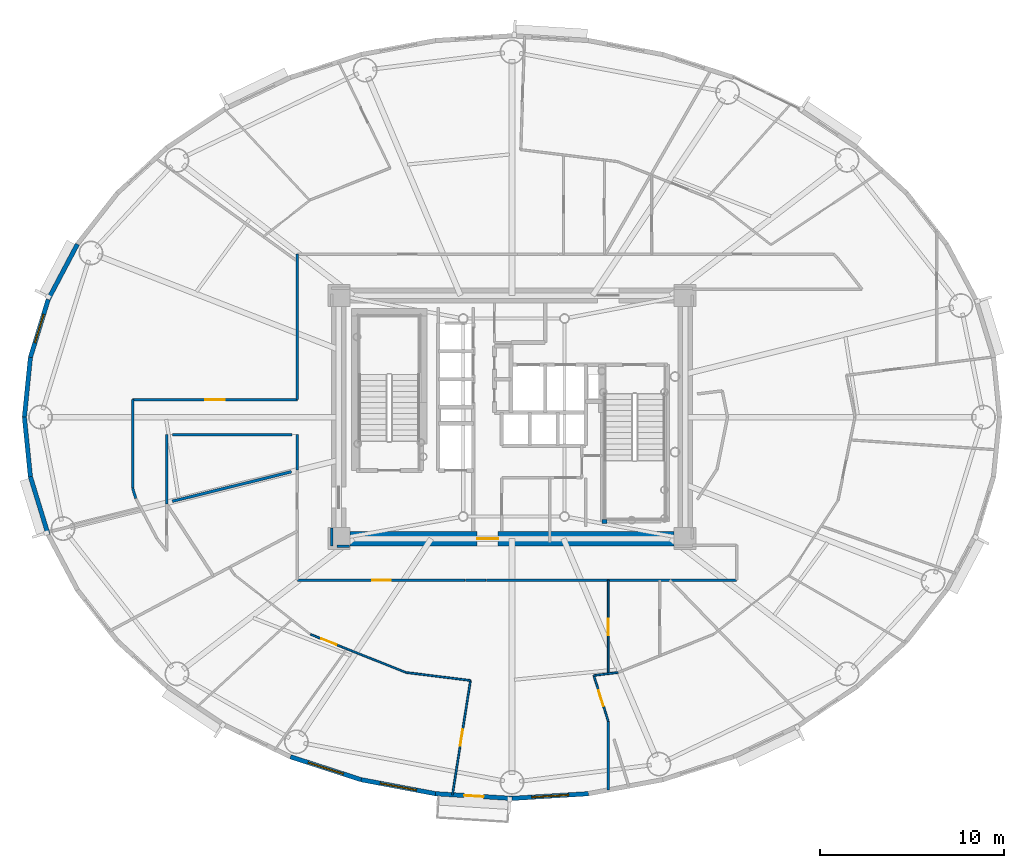
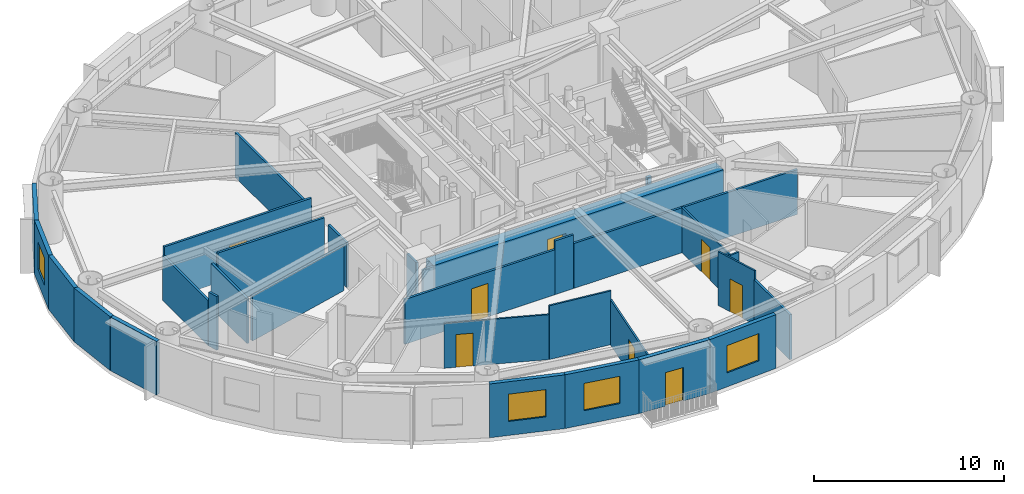
# One storey, part 6 of 17: 31 walls, 8 doors, 4 windows, 12 openings.
"""IFC4 building model written with IfcOpenShell, lengths in metres."""

from ifc_helpers import new_model, si_unit, direction, frame, frame_2d, origin, origin_2d, place, context, subcontext, project, spatial, rectangle, extrude, source, transform, mapped, material, layer, layer_set, type_object, element, fill, save


model = new_model("IFC4")

# Units and contexts
model_context = context("Model", 3, precision=1e-05, world=origin(), true_north=direction((0.0, 1.0)))
body_context = subcontext(model_context, "Body", "Model", "MODEL_VIEW")
ifc_project = project(units=[si_unit("LENGTHUNIT", "METRE"), si_unit("AREAUNIT", "SQUARE_METRE"), si_unit("VOLUMEUNIT", "CUBIC_METRE"), si_unit("PLANEANGLEUNIT", "RADIAN"), si_unit("MASSUNIT", "GRAM", prefix="KILO")], contexts=[model_context])

# Site, building, storey
site_placement = place(None, origin())
site = spatial("IfcSite", under=ifc_project, at=site_placement, CompositionType="ELEMENT")
building_placement = place(site_placement, origin())
building = spatial("IfcBuilding", under=site, at=building_placement, Name="Linh Dai School and Residence Tower", CompositionType="ELEMENT")
storey_placement = place(building_placement, frame((0.0, 0.0, 201.14990234375)))
storey = spatial("IfcBuildingStorey", under=building, at=storey_placement, Name="L49", CompositionType="ELEMENT", Elevation=201.14990234375)

# Wall
ifc_material_1 = material(Name="Precast Concrete B45 (C35/45)", Category="concrete")
ifc_layer_1 = layer(ifc_material_1, 0.239990234375)
ifc_layer_set_1 = layer_set([ifc_layer_1], Name="Precast Concrete B45 (C35/45)")
wall_type_1 = type_object("IfcWallType", Name="EW-TC-240", PredefinedType="SOLIDWALL", material=ifc_layer_set_1)
wall_1_placement = place(storey_placement, frame((10.8173828125, 33.388916015625, 0.0), z_axis=(0.0, 0.0, 1.0), x_axis=(0.467586874938, 0.88394712194, 0.0)))
element("IfcWall", 1, at=wall_1_placement, inside=storey, type_object=wall_type_1, Name="L49 Terracotta Exterior Wall 18", PredefinedType="SOLIDWALL", context=body_context, shape_type="SweptSolid", body=[
    extrude(rectangle(XDim=3.393310546875, YDim=0.239990234375, at=frame_2d((1.69677734375, 0.0))), origin(), (0.0, 0.0, 1.0), 3.4501953125),
])

# Wall, opening, window
wall_2_placement = place(storey_placement, frame((9.85009765625, 30.233642578125, 0.0), z_axis=(0.0, 0.0, 1.0), x_axis=(0.293097995113, 0.956082405058, 0.0)))
wall_2 = element("IfcWall", 2, at=wall_2_placement, inside=storey, type_object=wall_type_1, Name="L49 Terracotta Exterior Wall 19", PredefinedType="SOLIDWALL", context=body_context, shape_type="SweptSolid", body=[
    extrude(rectangle(XDim=3.30029296875, YDim=0.239990234375, at=frame_2d((1.650146484375, 0.0))), origin(), (0.0, 0.0, 1.0), 3.4501953125),
])
opening_1_placement = place(wall_2_placement, frame((0.85009765625, 0.0, 0.89990234375)))
opening_1 = element("IfcOpeningElement", 3, at=opening_1_placement, cuts=wall_2, Name="Opening W2", PredefinedType="OPENING", context=body_context, shape_type="SweptSolid", body=[
    extrude(rectangle(XDim=1.60009765625, YDim=1.75, at=origin_2d()), frame((0.800048828125, 0.1298828125, 0.875), z_axis=(0.0, -1.0, 0.0), x_axis=(1.0, 0.0, 0.0)), (0.0, 0.0, 1.0), 0.260009765625),
])
ifc_material_2 = material(Name="Double Low-E Insulated Glazing", Category="glass")
window_type_1 = type_object("IfcWindowType", Name="WN-RES-1600x1750", PartitioningType="DOUBLE_PANEL_VERTICAL", PredefinedType="WINDOW", material=ifc_material_2)
shared_shape_1 = source(origin(), body_context, "Body", "SweptSolid", [
    extrude(rectangle(XDim=1.60009765625, YDim=1.75, at=origin_2d()), frame((0.800048828125, 0.030029296875, 0.875), z_axis=(0.0, -1.0, 0.0), x_axis=(1.0, 0.0, 0.0)), (0.0, 0.0, 1.0), 0.06005859375),
])
window_1_placement = place(opening_1_placement, origin())
window_1 = element("IfcWindow", 4, at=window_1_placement, inside=storey, type_object=window_type_1, Name="L49 Exterior Window 19.1", OverallHeight=1.75, OverallWidth=1.60009765625, PartitioningType="DOUBLE_PANEL_VERTICAL", PredefinedType="WINDOW", context=body_context, shape_type="MappedRepresentation", body=[
    mapped(shared_shape_1, transform((0.0, 0.0, 0.0), x_axis=(1.0, 0.0, 0.0), y_axis=(0.0, 1.0, 0.0), z_axis=(0.0, 0.0, 1.0), scale=1.0)),
])
fill(opening_1, window_1)

# Walls
for number, where, z_axis, x_axis, name in (
    (5, (9.52490234375, 27.0, 0.0), (0.0, 0.0, 1.0), (0.100061534614, 0.994981250723, 0.0), "L49 Terracotta Exterior Wall 20"),
    (6, (9.85009765625, 23.766357421875, 0.0), (0.0, 0.0, 1.0), (-0.100061534614, 0.994981250723, 0.0), "L49 Terracotta Exterior Wall 21"),
):
    element("IfcWall", number, at=place(storey_placement, frame(where, z_axis=z_axis, x_axis=x_axis)), inside=storey, type_object=wall_type_1, Name=name, PredefinedType="SOLIDWALL", context=body_context, shape_type="SweptSolid", body=[
        extrude(rectangle(XDim=3.25, YDim=0.239990234375, at=frame_2d((1.625, 0.0))), origin(), (0.0, 0.0, 1.0), 3.4501953125),
    ])
wall_3_placement = place(storey_placement, frame((10.8173828125, 20.611083984375, 0.0), z_axis=(0.0, 0.0, 1.0), x_axis=(-0.293097995113, 0.956082405058, 0.0)))
element("IfcWall", 7, at=wall_3_placement, inside=storey, type_object=wall_type_1, Name="L49 Terracotta Exterior Wall 22", PredefinedType="SOLIDWALL", context=body_context, shape_type="SweptSolid", body=[
    extrude(rectangle(XDim=3.30029296875, YDim=0.239990234375, at=frame_2d((1.650146484375, 0.0))), origin(), (0.0, 0.0, 1.0), 3.4501953125),
])

# Wall, opening, window
wall_4_placement = place(storey_placement, frame((27.81103515625, 7.310546875, 0.0), z_axis=(0.0, 0.0, 1.0), x_axis=(-0.951209870236, 0.30854462038, 0.0)))
wall_4 = element("IfcWall", 8, at=wall_4_placement, inside=storey, type_object=wall_type_1, Name="L49 Terracotta Exterior Wall 28", PredefinedType="SOLIDWALL", context=body_context, shape_type="SweptSolid", body=[
    extrude(rectangle(XDim=4.037841796875, YDim=0.239990234375, at=frame_2d((2.01904296875, 0.0))), origin(), (0.0, 0.0, 1.0), 3.4501953125),
])
opening_2_placement = place(wall_4_placement, frame((1.018798828125, 0.0, 0.89990234375)))
opening_2 = element("IfcOpeningElement", 9, at=opening_2_placement, cuts=wall_4, Name="Opening W1", PredefinedType="OPENING", context=body_context, shape_type="SweptSolid", body=[
    extrude(rectangle(XDim=2.0, YDim=1.75, at=origin_2d()), frame((1.0, 0.1298828125, 0.875), z_axis=(0.0, -1.0, 0.0), x_axis=(1.0, 0.0, 0.0)), (0.0, 0.0, 1.0), 0.260009765625),
])
window_type_2 = type_object("IfcWindowType", Name="WN-RES-2000x1750", PartitioningType="DOUBLE_PANEL_VERTICAL", PredefinedType="WINDOW", material=ifc_material_2)
shared_shape_2 = source(origin(), body_context, "Body", "SweptSolid", [
    extrude(rectangle(XDim=2.0, YDim=1.75, at=origin_2d()), frame((1.0, 0.030029296875, 0.875), z_axis=(0.0, -1.0, 0.0), x_axis=(1.0, 0.0, 0.0)), (0.0, 0.0, 1.0), 0.06005859375),
])
window_2_placement = place(opening_2_placement, origin())
window_2 = element("IfcWindow", 10, at=window_2_placement, inside=storey, type_object=window_type_2, Name="L49 Exterior Window 28.1", OverallHeight=1.75, OverallWidth=2.0, PartitioningType="DOUBLE_PANEL_VERTICAL", PredefinedType="WINDOW", context=body_context, shape_type="MappedRepresentation", body=[
    mapped(shared_shape_2, transform((0.0, 0.0, 0.0), x_axis=(1.0, 0.0, 0.0), y_axis=(0.0, 1.0, 0.0), z_axis=(0.0, 0.0, 1.0), scale=1.0)),
])
fill(opening_2, window_2)

wall_5_placement = place(storey_placement, frame((31.854248046875, 6.550537109375, 0.0), z_axis=(0.0, 0.0, 1.0), x_axis=(-0.982788108205, 0.184736391573, 0.0)))
wall_5 = element("IfcWall", 11, at=wall_5_placement, inside=storey, type_object=wall_type_1, Name="L49 Terracotta Exterior Wall 29", PredefinedType="SOLIDWALL", context=body_context, shape_type="SweptSolid", body=[
    extrude(rectangle(XDim=4.114013671875, YDim=0.239990234375, at=frame_2d((2.05712890625, 0.0))), origin(), (0.0, 0.0, 1.0), 3.4501953125),
])
opening_3_placement = place(wall_5_placement, frame((1.056884765625, 0.0, 0.89990234375)))
opening_3 = element("IfcOpeningElement", 12, at=opening_3_placement, cuts=wall_5, Name="Opening W1", PredefinedType="OPENING", context=body_context, shape_type="SweptSolid", body=[
    extrude(rectangle(XDim=2.0, YDim=1.75, at=origin_2d()), frame((1.0, 0.1298828125, 0.875), z_axis=(0.0, -1.0, 0.0), x_axis=(1.0, 0.0, 0.0)), (0.0, 0.0, 1.0), 0.260009765625),
])
window_3_placement = place(opening_3_placement, origin())
window_3 = element("IfcWindow", 13, at=window_3_placement, inside=storey, type_object=window_type_2, Name="L49 Exterior Window 29.1", OverallHeight=1.75, OverallWidth=2.0, PartitioningType="DOUBLE_PANEL_VERTICAL", PredefinedType="WINDOW", context=body_context, shape_type="MappedRepresentation", body=[
    mapped(shared_shape_2, transform((0.0, 0.0, 0.0), x_axis=(1.0, 0.0, 0.0), y_axis=(0.0, 1.0, 0.0), z_axis=(0.0, 0.0, 1.0), scale=1.0)),
])
fill(opening_3, window_3)

# Wall, opening, door
wall_6_placement = place(storey_placement, frame((36.0, 6.294921875, 0.0), z_axis=(0.0, 0.0, 1.0), x_axis=(-0.998104600619, 0.061540281305, 0.0)))
wall_6 = element("IfcWall", 14, at=wall_6_placement, inside=storey, type_object=wall_type_1, Name="L49 Terracotta Exterior Wall 30", PredefinedType="SOLIDWALL", context=body_context, shape_type="SweptSolid", body=[
    extrude(rectangle(XDim=4.153564453125, YDim=0.239990234375, at=frame_2d((2.07666015625, 0.0))), origin(), (0.0, 0.0, 1.0), 3.4501953125),
])
opening_4_placement = place(wall_6_placement, frame((1.5517578125, 0.0, 0.0)))
opening_4 = element("IfcOpeningElement", 15, at=opening_4_placement, cuts=wall_6, Name="Opening BD1", PredefinedType="OPENING", context=body_context, shape_type="SweptSolid", body=[
    extrude(rectangle(XDim=1.050048828125, YDim=2.14990234375, at=origin_2d()), frame((0.52490234375, 0.1298828125, 1.074951171875), z_axis=(0.0, -1.0, 0.0), x_axis=(1.0, 0.0, 0.0)), (0.0, 0.0, 1.0), 0.260009765625),
])
ifc_material_3 = material(Name="Double-Glazed Balcony Door", Category="glass")
door_type_1 = type_object("IfcDoorType", Name="DR-BALC-1050x2150", OperationType="NOTDEFINED", PredefinedType="DOOR", material=ifc_material_3)
shared_shape_3 = source(origin(), body_context, "Body", "SweptSolid", [
    extrude(rectangle(XDim=1.050048828125, YDim=2.14990234375, at=origin_2d()), frame((0.52490234375, 0.02490234375, 1.074951171875), z_axis=(0.0, -1.0, 0.0), x_axis=(1.0, 0.0, 0.0)), (0.0, 0.0, 1.0), 0.050048828125),
])
door_1_placement = place(opening_4_placement, origin())
door_1 = element("IfcDoor", 16, at=door_1_placement, inside=storey, type_object=door_type_1, Name="L49 Glazed Balcony Door 30", OperationType="SINGLE_SWING_RIGHT", OverallHeight=2.14990234375, OverallWidth=1.050048828125, PredefinedType="DOOR", context=body_context, shape_type="MappedRepresentation", body=[
    mapped(shared_shape_3, transform((0.0, 0.0, 0.0), x_axis=(1.0, 0.0, 0.0), y_axis=(0.0, 1.0, 0.0), z_axis=(0.0, 0.0, 1.0), scale=1.0)),
])
fill(opening_4, door_1)

# Wall, opening, window
wall_7_placement = place(storey_placement, frame((40.145751953125, 6.550537109375, 0.0), z_axis=(0.0, 0.0, 1.0), x_axis=(-0.998104600619, -0.061540281305, 0.0)))
wall_7 = element("IfcWall", 17, at=wall_7_placement, inside=storey, type_object=wall_type_1, Name="L49 Terracotta Exterior Wall 31", PredefinedType="SOLIDWALL", context=body_context, shape_type="SweptSolid", body=[
    extrude(rectangle(XDim=4.153564453125, YDim=0.239990234375, at=frame_2d((2.07666015625, 0.0))), origin(), (0.0, 0.0, 1.0), 3.4501953125),
])
opening_5_placement = place(wall_7_placement, frame((1.076904296875, 0.0, 0.89990234375)))
opening_5 = element("IfcOpeningElement", 18, at=opening_5_placement, cuts=wall_7, Name="Opening W1", PredefinedType="OPENING", context=body_context, shape_type="SweptSolid", body=[
    extrude(rectangle(XDim=2.0, YDim=1.75, at=origin_2d()), frame((1.0, 0.1298828125, 0.875), z_axis=(0.0, -1.0, 0.0), x_axis=(1.0, 0.0, 0.0)), (0.0, 0.0, 1.0), 0.260009765625),
])
window_4_placement = place(opening_5_placement, origin())
window_4 = element("IfcWindow", 19, at=window_4_placement, inside=storey, type_object=window_type_2, Name="L49 Exterior Window 31.1", OverallHeight=1.75, OverallWidth=2.0, PartitioningType="DOUBLE_PANEL_VERTICAL", PredefinedType="WINDOW", context=body_context, shape_type="MappedRepresentation", body=[
    mapped(shared_shape_2, transform((0.0, 0.0, 0.0), x_axis=(1.0, 0.0, 0.0), y_axis=(0.0, 1.0, 0.0), z_axis=(0.0, 0.0, 1.0), scale=1.0)),
])
fill(opening_5, window_4)

# Walls
ifc_material_4 = material(Name="Autoclaved Aerated Concrete Blockwork", Category="masonry")
ifc_layer_2 = layer(ifc_material_4, 0.135009765625)
ifc_layer_set_2 = layer_set([ifc_layer_2], Name="Autoclaved Aerated Concrete Blockwork")
wall_type_2 = type_object("IfcWallType", Name="IW-CORR-135-EI90", PredefinedType="PARTITIONING", material=ifc_layer_set_2)
wall_8_placement = place(storey_placement, frame((15.39990234375, 23.14599609375, 0.0), z_axis=(0.0, 0.0, 1.0), x_axis=(0.0, 1.0, 0.0)))
element("IfcWall", 20, at=wall_8_placement, inside=storey, type_object=wall_type_2, Name="L49 Interior Partition Wall 003", PredefinedType="PARTITIONING", context=body_context, shape_type="SweptSolid", body=[
    extrude(rectangle(XDim=4.803955078125, YDim=0.135009765625, at=frame_2d((2.40185546875, 0.0))), origin(), (0.0, 0.0, 1.0), 2.885009765625),
])
wall_9_placement = place(storey_placement, frame((15.39990234375, 23.14599609375, 0.0), z_axis=(0.0, 0.0, 1.0), x_axis=(0.293335154151, -0.956009669061, 0.0)))
element("IfcWall", 21, at=wall_9_placement, inside=storey, type_object=wall_type_2, Name="L49 Interior Partition Wall 004", PredefinedType="PARTITIONING", context=body_context, shape_type="SweptSolid", body=[
    extrude(rectangle(XDim=0.59423828125, YDim=0.135009765625, at=frame_2d((0.297119140625, 0.0))), origin(), (0.0, 0.0, 1.0), 3.4501953125),
])

# Wall, opening, door
wall_10_placement = place(storey_placement, frame((15.39990234375, 27.949951171875, 0.0), z_axis=(0.0, 0.0, 1.0), x_axis=(1.0, 0.0, 0.0)))
wall_10 = element("IfcWall", 22, at=wall_10_placement, inside=storey, type_object=wall_type_2, Name="L49 Interior Partition Wall 005", PredefinedType="PARTITIONING", context=body_context, shape_type="SweptSolid", body=[
    extrude(rectangle(XDim=8.9501953125, YDim=0.135009765625, at=frame_2d((4.47509765625, 0.0))), origin(), (0.0, 0.0, 1.0), 3.4501953125),
])
opening_6_placement = place(wall_10_placement, frame((3.949951171875, 0.0, 0.0)))
opening_6 = element("IfcOpeningElement", 23, at=opening_6_placement, cuts=wall_10, Name="Opening D04", PredefinedType="OPENING", context=body_context, shape_type="SweptSolid", body=[
    extrude(rectangle(XDim=1.050048828125, YDim=2.14990234375, at=origin_2d()), frame((0.52490234375, 0.07763671875, 1.074951171875), z_axis=(0.0, -1.0, 0.0), x_axis=(1.0, 0.0, 0.0)), (0.0, 0.0, 1.0), 0.155029296875),
])
ifc_material_5 = material(Name="Acoustic Vision-Panel Timber Classroom Door", Category="wood")
door_type_2 = type_object("IfcDoorType", Name="DR-SCH-1050x2150-FD60S", OperationType="NOTDEFINED", PredefinedType="DOOR", material=ifc_material_5)
door_2_placement = place(opening_6_placement, origin())
door_2 = element("IfcDoor", 24, at=door_2_placement, inside=storey, type_object=door_type_2, Name="L49 Sky Tea and Calligraphy Room Door", OperationType="SINGLE_SWING_RIGHT", OverallHeight=2.14990234375, OverallWidth=1.050048828125, PredefinedType="DOOR", context=body_context, shape_type="MappedRepresentation", body=[
    mapped(shared_shape_3, transform((0.0, 0.0, 0.0), x_axis=(1.0, 0.0, 0.0), y_axis=(0.0, 1.0, 0.0), z_axis=(0.0, 0.0, 1.0), scale=1.0)),
])
fill(opening_6, door_2)

wall_11_placement = place(storey_placement, frame((24.35009765625, 18.14990234375, 0.0), z_axis=(0.0, 0.0, 1.0), x_axis=(1.0, 0.0, 0.0)))
wall_11 = element("IfcWall", 25, at=wall_11_placement, inside=storey, type_object=wall_type_2, Name="L49 Interior Partition Wall 020", PredefinedType="PARTITIONING", context=body_context, shape_type="SweptSolid", body=[
    extrude(rectangle(XDim=9.108642578125, YDim=0.135009765625, at=frame_2d((4.55419921875, 0.0))), origin(), (0.0, 0.0, 1.0), 2.885009765625),
])
opening_7_placement = place(wall_11_placement, frame((4.05419921875, 0.0, 0.0)))
opening_7 = element("IfcOpeningElement", 26, at=opening_7_placement, cuts=wall_11, Name="Opening D03", PredefinedType="OPENING", context=body_context, shape_type="SweptSolid", body=[
    extrude(rectangle(XDim=1.0, YDim=2.14990234375, at=origin_2d()), frame((0.5, 0.07763671875, 1.074951171875), z_axis=(0.0, -1.0, 0.0), x_axis=(1.0, 0.0, 0.0)), (0.0, 0.0, 1.0), 0.155029296875),
])
ifc_material_6 = material(Name="Fire-Rated Solid Timber Entrance Door", Category="wood")
door_type_3 = type_object("IfcDoorType", Name="DR-FLAT-1000x2150-FD60S", OperationType="NOTDEFINED", PredefinedType="DOOR", material=ifc_material_6)
shared_shape_4 = source(origin(), body_context, "Body", "SweptSolid", [
    extrude(rectangle(XDim=1.0, YDim=2.14990234375, at=origin_2d()), frame((0.5, 0.02490234375, 1.074951171875), z_axis=(0.0, -1.0, 0.0), x_axis=(1.0, 0.0, 0.0)), (0.0, 0.0, 1.0), 0.050048828125),
])
door_3_placement = place(opening_7_placement, origin())
door_3 = element("IfcDoor", 27, at=door_3_placement, inside=storey, type_object=door_type_3, Name="L49 U4901 Apartment Entrance Door", OperationType="SINGLE_SWING_LEFT", OverallHeight=2.14990234375, OverallWidth=1.0, PredefinedType="DOOR", context=body_context, shape_type="MappedRepresentation", body=[
    mapped(shared_shape_4, transform((0.0, 0.0, 0.0), x_axis=(1.0, 0.0, 0.0), y_axis=(0.0, 1.0, 0.0), z_axis=(0.0, 0.0, 1.0), scale=1.0)),
])
fill(opening_7, door_3)

# Walls
wall_12_placement = place(storey_placement, frame((24.35009765625, 27.949951171875, 0.0), z_axis=(0.0, 0.0, 1.0), x_axis=(0.0, 1.0, 0.0)))
element("IfcWall", 28, at=wall_12_placement, inside=storey, type_object=wall_type_2, Name="L49 Interior Partition Wall 021", PredefinedType="PARTITIONING", context=body_context, shape_type="SweptSolid", body=[
    extrude(rectangle(XDim=7.900146484375, YDim=0.135009765625, at=frame_2d((3.9501953125, 0.0))), origin(), (0.0, 0.0, 1.0), 2.885009765625),
])
wall_13_placement = place(storey_placement, frame((34.604736328125, 18.14990234375, 0.0), z_axis=(0.0, 0.0, 1.0), x_axis=(1.0, 0.0, 0.0)))
element("IfcWall", 29, at=wall_13_placement, inside=storey, type_object=wall_type_2, Name="L49 Interior Partition Wall 037", PredefinedType="PARTITIONING", context=body_context, shape_type="SweptSolid", body=[
    extrude(rectangle(XDim=13.59521484375, YDim=0.135009765625, at=frame_2d((6.797607421875, 0.0))), origin(), (0.0, 0.0, 1.0), 2.885009765625),
])
wall_14_placement = place(storey_placement, frame((17.25, 26.050048828125, 0.0), z_axis=(0.0, 0.0, 1.0), x_axis=(0.0, -1.0, 0.0)))
element("IfcWall", 30, at=wall_14_placement, inside=storey, type_object=wall_type_2, Name="L49 Interior Partition Wall 099", PredefinedType="PARTITIONING", context=body_context, shape_type="SweptSolid", body=[
    extrude(rectangle(XDim=3.758056640625, YDim=0.135009765625, at=frame_2d((1.87890625, 0.0))), origin(), (0.0, 0.0, 1.0), 2.885009765625),
])
wall_15_placement = place(storey_placement, frame((26.199951171875, 20.989990234375, 0.0), z_axis=(0.0, 0.0, 1.0), x_axis=(0.0, -1.0, 0.0)))
element("IfcWall", 31, at=wall_15_placement, inside=storey, type_object=wall_type_2, Name="L49 Interior Partition Wall 104", PredefinedType="PARTITIONING", context=body_context, shape_type="SweptSolid", body=[
    extrude(rectangle(XDim=0.989990234375, YDim=0.135009765625, at=frame_2d((0.4951171875, 0.0))), origin(), (0.0, 0.0, 1.0), 3.4501953125),
])
wall_16_placement = place(storey_placement, frame((26.507568359375, 20.0, 0.0), z_axis=(0.0, 0.0, 1.0), x_axis=(1.0, 0.0, 0.0)))
element("IfcWall", 32, at=wall_16_placement, inside=storey, type_object=wall_type_2, Name="L49 Interior Partition Wall 105", PredefinedType="PARTITIONING", context=body_context, shape_type="SweptSolid", body=[
    extrude(rectangle(XDim=0.682373046875, YDim=0.135009765625, at=frame_2d((0.34130859375, 0.0))), origin(), (0.0, 0.0, 1.0), 2.885009765625),
])
wall_17_placement = place(storey_placement, frame((34.5947265625, 18.14990234375, 0.0), z_axis=(0.0, 0.0, 1.0), x_axis=(-1.0, 0.0, 0.0)))
element("IfcWall", 33, at=wall_17_placement, inside=storey, type_object=wall_type_2, Name="L49 Interior Partition Wall 107", PredefinedType="PARTITIONING", context=body_context, shape_type="SweptSolid", body=[
    extrude(rectangle(XDim=1.1259765625, YDim=0.135009765625, at=frame_2d((0.56298828125, 0.0))), origin(), (0.0, 0.0, 1.0), 3.4501953125),
])
wall_18_placement = place(storey_placement, frame((24.35009765625, 24.12255859375, 0.0), z_axis=(0.0, 0.0, 1.0), x_axis=(0.0, 1.0, 0.0)))
element("IfcWall", 34, at=wall_18_placement, inside=storey, type_object=wall_type_2, Name="L49 Interior Partition Wall 108", PredefinedType="PARTITIONING", context=body_context, shape_type="SweptSolid", body=[
    extrude(rectangle(XDim=1.927490234375, YDim=0.135009765625, at=frame_2d((0.9638671875, 0.0))), origin(), (0.0, 0.0, 1.0), 2.885009765625),
])
wall_19_placement = place(storey_placement, frame((24.04248046875, 26.050048828125, 0.0), z_axis=(0.0, 0.0, 1.0), x_axis=(-1.0, 0.0, 0.0)))
element("IfcWall", 35, at=wall_19_placement, inside=storey, type_object=wall_type_2, Name="L49 Interior Partition Wall 109", PredefinedType="PARTITIONING", context=body_context, shape_type="SweptSolid", body=[
    extrude(rectangle(XDim=6.48486328125, YDim=0.135009765625, at=frame_2d((3.242431640625, 0.0))), origin(), (0.0, 0.0, 1.0), 3.4501953125),
])
wall_20_placement = place(storey_placement, frame((41.22705078125, 10.4833984375, 0.0), z_axis=(0.0, 0.0, 1.0), x_axis=(0.0, -1.0, 0.0)))
element("IfcWall", 36, at=wall_20_placement, inside=storey, type_object=wall_type_2, Name="L49 Interior Partition Wall 111", PredefinedType="PARTITIONING", context=body_context, shape_type="SweptSolid", body=[
    extrude(rectangle(XDim=3.734619140625, YDim=0.135009765625, at=frame_2d((1.8671875, 0.0))), origin(), (0.0, 0.0, 1.0), 2.885009765625),
])
ifc_layer_3 = layer(ifc_material_4, 0.14990234375)
ifc_layer_set_3 = layer_set([ifc_layer_3], Name="Autoclaved Aerated Concrete Blockwork")
wall_type_3 = type_object("IfcWallType", Name="IW-SCH-150-EI60", PredefinedType="PARTITIONING", material=ifc_layer_set_3)
wall_21_placement = place(storey_placement, frame((17.5576171875, 22.42919921875, 0.0), z_axis=(0.0, 0.0, 1.0), x_axis=(0.970632119323, 0.240568678214, 0.0)))
element("IfcWall", 37, at=wall_21_placement, inside=storey, type_object=wall_type_3, Name="L49 Interior Partition Wall 110", PredefinedType="PARTITIONING", context=body_context, shape_type="SweptSolid", body=[
    extrude(rectangle(XDim=6.660400390625, YDim=0.14990234375, at=frame_2d((3.330078125, 0.0))), origin(), (0.0, 0.0, 1.0), 2.885009765625),
])
ifc_material_7 = material(Name="Concrete B45 (C35/45)", Category="concrete")
ifc_layer_4 = layer(ifc_material_7, 0.199951171875)
ifc_layer_set_4 = layer_set([ifc_layer_4], Name="Concrete B45 (C35/45)")
wall_type_4 = type_object("IfcWallType", Name="IW-SHAFT-200-EI120", PredefinedType="PARTITIONING", material=ifc_layer_set_4)
wall_22_placement = place(storey_placement, frame((40.89990234375, 21.330078125, 0.0), z_axis=(0.0, 0.0, 1.0), x_axis=(1.0, 0.0, 0.0)))
element("IfcWall", 38, at=wall_22_placement, inside=storey, type_object=wall_type_4, Name="L49 Interior Partition Wall 067", PredefinedType="PARTITIONING", context=body_context, shape_type="SweptSolid", body=[
    extrude(rectangle(XDim=0.25, YDim=0.199951171875, at=frame_2d((0.125, 0.0))), origin(), (0.0, 0.0, 1.0), 2.985107421875),
])

# Wall, opening, door
ifc_material_8 = material(Name="Gypsum Plasterboard Acoustic Stud Partition", Category="masonry")
ifc_layer_5 = layer(ifc_material_8, 0.10009765625)
ifc_layer_set_5 = layer_set([ifc_layer_5], Name="Gypsum Plasterboard Acoustic Stud Partition")
wall_type_5 = type_object("IfcWallType", Name="IW-UNIT-100", PredefinedType="PARTITIONING", material=ifc_layer_set_5)
wall_23_placement = place(storey_placement, frame((25.055419921875, 15.20361328125, 0.0), z_axis=(0.0, 0.0, 1.0), x_axis=(0.928798710424, -0.370584613166, 0.0)))
wall_23 = element("IfcWall", 39, at=wall_23_placement, inside=storey, type_object=wall_type_5, Name="L49 Interior Partition Wall 023", PredefinedType="PARTITIONING", context=body_context, shape_type="SweptSolid", body=[
    extrude(rectangle(XDim=5.588623046875, YDim=0.10009765625, at=frame_2d((2.79443359375, 0.0))), origin(), (0.0, 0.0, 1.0), 2.885009765625),
])
opening_8_placement = place(wall_23_placement, frame((0.63330078125, 0.0, 0.0)))
opening_8 = element("IfcOpeningElement", 40, at=opening_8_placement, cuts=wall_23, Name="Opening D05", PredefinedType="OPENING", context=body_context, shape_type="SweptSolid", body=[
    extrude(rectangle(XDim=0.89990234375, YDim=2.10009765625, at=origin_2d()), frame((0.449951171875, 0.06005859375, 1.050048828125), z_axis=(0.0, -1.0, 0.0), x_axis=(1.0, 0.0, 0.0)), (0.0, 0.0, 1.0), 0.1201171875),
])
ifc_material_9 = material(Name="Engineered Timber Internal Door", Category="wood")
door_type_4 = type_object("IfcDoorType", Name="DR-INT-900x2100", OperationType="NOTDEFINED", PredefinedType="DOOR", material=ifc_material_9)
shared_shape_5 = source(origin(), body_context, "Body", "SweptSolid", [
    extrude(rectangle(XDim=0.89990234375, YDim=2.10009765625, at=origin_2d()), frame((0.449951171875, 0.02490234375, 1.050048828125), z_axis=(0.0, -1.0, 0.0), x_axis=(1.0, 0.0, 0.0)), (0.0, 0.0, 1.0), 0.050048828125),
])
door_4_placement = place(opening_8_placement, origin())
door_4 = element("IfcDoor", 41, at=door_4_placement, inside=storey, type_object=door_type_4, Name="L49 Apartment U4901 Study Door", OperationType="SINGLE_SWING_LEFT", OverallHeight=2.10009765625, OverallWidth=0.89990234375, PredefinedType="DOOR", context=body_context, shape_type="MappedRepresentation", body=[
    mapped(shared_shape_5, transform((0.0, 0.0, 0.0), x_axis=(1.0, 0.0, 0.0), y_axis=(0.0, 1.0, 0.0), z_axis=(0.0, 0.0, 1.0), scale=1.0)),
])
fill(opening_8, door_4)

# Wall
wall_24_placement = place(storey_placement, frame((30.24609375, 13.132568359375, 0.0), z_axis=(0.0, 0.0, 1.0), x_axis=(0.992402005927, -0.123037630959, 0.0)))
element("IfcWall", 42, at=wall_24_placement, inside=storey, type_object=wall_type_5, Name="L49 Interior Partition Wall 027", PredefinedType="PARTITIONING", context=body_context, shape_type="SweptSolid", body=[
    extrude(rectangle(XDim=3.526123046875, YDim=0.10009765625, at=frame_2d((1.76318359375, 0.0))), origin(), (0.0, 0.0, 1.0), 3.4501953125),
])

# Wall, opening, door
wall_25_placement = place(storey_placement, frame((32.766357421875, 6.4892578125, 0.0), z_axis=(0.0, 0.0, 1.0), x_axis=(0.155739200194, 0.987798208909, 0.0)))
wall_25 = element("IfcWall", 43, at=wall_25_placement, inside=storey, type_object=wall_type_5, Name="L49 Interior Partition Wall 035", PredefinedType="PARTITIONING", context=body_context, shape_type="SweptSolid", body=[
    extrude(rectangle(XDim=6.2861328125, YDim=0.10009765625, at=frame_2d((3.14306640625, 0.0))), origin(), (0.0, 0.0, 1.0), 2.885009765625),
])
opening_9_placement = place(wall_25_placement, frame((2.693115234375, 0.0, 0.0)))
opening_9 = element("IfcOpeningElement", 44, at=opening_9_placement, cuts=wall_25, Name="Opening D05", PredefinedType="OPENING", context=body_context, shape_type="SweptSolid", body=[
    extrude(rectangle(XDim=0.89990234375, YDim=2.10009765625, at=origin_2d()), frame((0.449951171875, 0.06005859375, 1.050048828125), z_axis=(0.0, -1.0, 0.0), x_axis=(1.0, 0.0, 0.0)), (0.0, 0.0, 1.0), 0.1201171875),
])
door_5_placement = place(opening_9_placement, origin())
door_5 = element("IfcDoor", 45, at=door_5_placement, inside=storey, type_object=door_type_4, Name="L49 Apartment U4901 Principal Bedroom 2 Door", OperationType="SINGLE_SWING_RIGHT", OverallHeight=2.10009765625, OverallWidth=0.89990234375, PredefinedType="DOOR", context=body_context, shape_type="MappedRepresentation", body=[
    mapped(shared_shape_5, transform((0.0, 0.0, 0.0), x_axis=(1.0, 0.0, 0.0), y_axis=(0.0, 1.0, 0.0), z_axis=(0.0, 0.0, 1.0), scale=1.0)),
])
fill(opening_9, door_5)

wall_26_placement = place(storey_placement, frame((40.440185546875, 12.9697265625, 0.0), z_axis=(0.0, 0.0, 1.0), x_axis=(0.301727202982, -0.953394301945, 0.0)))
wall_26 = element("IfcWall", 46, at=wall_26_placement, inside=storey, type_object=wall_type_5, Name="L49 Interior Partition Wall 064", PredefinedType="PARTITIONING", context=body_context, shape_type="SweptSolid", body=[
    extrude(rectangle(XDim=2.60791015625, YDim=0.10009765625, at=frame_2d((1.303955078125, 0.0))), origin(), (0.0, 0.0, 1.0), 3.4501953125),
])
opening_10_placement = place(wall_26_placement, frame((0.85400390625, 0.0, 0.0)))
opening_10 = element("IfcOpeningElement", 47, at=opening_10_placement, cuts=wall_26, Name="Opening D05", PredefinedType="OPENING", context=body_context, shape_type="SweptSolid", body=[
    extrude(rectangle(XDim=0.89990234375, YDim=2.10009765625, at=origin_2d()), frame((0.449951171875, 0.06005859375, 1.050048828125), z_axis=(0.0, -1.0, 0.0), x_axis=(1.0, 0.0, 0.0)), (0.0, 0.0, 1.0), 0.1201171875),
])
door_6_placement = place(opening_10_placement, origin())
door_6 = element("IfcDoor", 48, at=door_6_placement, inside=storey, type_object=door_type_4, Name="L49 Apartment U4901 Principal Bedroom 3 Door", OperationType="SINGLE_SWING_LEFT", OverallHeight=2.10009765625, OverallWidth=0.89990234375, PredefinedType="DOOR", context=body_context, shape_type="MappedRepresentation", body=[
    mapped(shared_shape_5, transform((0.0, 0.0, 0.0), x_axis=(1.0, 0.0, 0.0), y_axis=(0.0, 1.0, 0.0), z_axis=(0.0, 0.0, 1.0), scale=1.0)),
])
fill(opening_10, door_6)

# Wall
wall_27_placement = place(storey_placement, frame((40.440185546875, 12.9697265625, 0.0), z_axis=(0.0, 0.0, 1.0), x_axis=(0.99240503164, 0.123013223584, 0.0)))
element("IfcWall", 49, at=wall_27_placement, inside=storey, type_object=wall_type_5, Name="L49 Interior Partition Wall 065", PredefinedType="PARTITIONING", context=body_context, shape_type="SweptSolid", body=[
    extrude(rectangle(XDim=1.32373046875, YDim=0.10009765625, at=frame_2d((0.661865234375, 0.0))), origin(), (0.0, 0.0, 1.0), 2.885009765625),
])

# Wall, opening, door
wall_28_placement = place(storey_placement, frame((41.22705078125, 13.0673828125, 0.0), z_axis=(0.0, 0.0, 1.0), x_axis=(0.0, 1.0, 0.0)))
wall_28 = element("IfcWall", 50, at=wall_28_placement, inside=storey, type_object=wall_type_5, Name="L49 Interior Partition Wall 070", PredefinedType="PARTITIONING", context=body_context, shape_type="SweptSolid", body=[
    extrude(rectangle(XDim=5.08251953125, YDim=0.10009765625, at=frame_2d((2.541259765625, 0.0))), origin(), (0.0, 0.0, 1.0), 2.885009765625),
])
opening_11_placement = place(wall_28_placement, frame((2.09130859375, 0.0, 0.0)))
opening_11 = element("IfcOpeningElement", 51, at=opening_11_placement, cuts=wall_28, Name="Opening D05", PredefinedType="OPENING", context=body_context, shape_type="SweptSolid", body=[
    extrude(rectangle(XDim=0.89990234375, YDim=2.10009765625, at=origin_2d()), frame((0.449951171875, 0.06005859375, 1.050048828125), z_axis=(0.0, -1.0, 0.0), x_axis=(1.0, 0.0, 0.0)), (0.0, 0.0, 1.0), 0.1201171875),
])
door_7_placement = place(opening_11_placement, origin())
door_7 = element("IfcDoor", 52, at=door_7_placement, inside=storey, type_object=door_type_4, Name="L49 Apartment U4901 Kitchen Door", OperationType="SINGLE_SWING_RIGHT", OverallHeight=2.10009765625, OverallWidth=0.89990234375, PredefinedType="DOOR", context=body_context, shape_type="MappedRepresentation", body=[
    mapped(shared_shape_5, transform((0.0, 0.0, 0.0), x_axis=(1.0, 0.0, 0.0), y_axis=(0.0, 1.0, 0.0), z_axis=(0.0, 0.0, 1.0), scale=1.0)),
])
fill(opening_11, door_7)

ifc_material_10 = material(Name="Concrete B60 (C50/60)", Category="concrete")
ifc_layer_6 = layer(ifc_material_10, 0.800048828125)
ifc_layer_set_6 = layer_set([ifc_layer_6], Name="Concrete B60 (C50/60)")
wall_type_6 = type_object("IfcWallType", Name="WL-CORE800", PredefinedType="SHEAR", material=ifc_layer_set_6)
wall_29_placement = place(storey_placement, frame((44.800048828125, 20.39990234375, 0.0), z_axis=(0.0, 0.0, 1.0), x_axis=(-1.0, 0.0, 0.0)))
wall_29 = element("IfcWall", 53, at=wall_29_placement, inside=storey, type_object=wall_type_6, Name="L49 Central Core Shear Wall S", PredefinedType="SHEAR", context=body_context, shape_type="SweptSolid", body=[
    extrude(rectangle(XDim=17.60009765625, YDim=0.800048828125, at=frame_2d((8.800048828125, 0.0))), origin(), (0.0, 0.0, 1.0), 2.900146484375),
])
opening_12_placement = place(wall_29_placement, frame((9.550048828125, 0.0, 0.0)))
opening_12 = element("IfcOpeningElement", 54, at=opening_12_placement, cuts=wall_29, Name="Opening D02", PredefinedType="OPENING", context=body_context, shape_type="SweptSolid", body=[
    extrude(rectangle(XDim=1.14990234375, YDim=2.14990234375, at=origin_2d()), frame((0.574951171875, 0.41015625, 1.074951171875), z_axis=(0.0, -1.0, 0.0), x_axis=(1.0, 0.0, 0.0)), (0.0, 0.0, 1.0), 0.820068359375),
])
ifc_material_11 = material(Name="Fire-Rated Glazed Steel Lobby Door", Category="steel")
door_type_5 = type_object("IfcDoorType", Name="DR-LOBBY-1150x2150-FD90S", OperationType="NOTDEFINED", PredefinedType="DOOR", material=ifc_material_11)
shared_shape_6 = source(origin(), body_context, "Body", "SweptSolid", [
    extrude(rectangle(XDim=1.14990234375, YDim=2.14990234375, at=origin_2d()), frame((0.574951171875, 0.02490234375, 1.074951171875), z_axis=(0.0, -1.0, 0.0), x_axis=(1.0, 0.0, 0.0)), (0.0, 0.0, 1.0), 0.050048828125),
])
door_8_placement = place(opening_12_placement, origin())
door_8 = element("IfcDoor", 55, at=door_8_placement, inside=storey, type_object=door_type_5, Name="L49 Passenger Foyer Access Door", OperationType="SINGLE_SWING_RIGHT", OverallHeight=2.14990234375, OverallWidth=1.14990234375, PredefinedType="DOOR", context=body_context, shape_type="MappedRepresentation", body=[
    mapped(shared_shape_6, transform((0.0, 0.0, 0.0), x_axis=(1.0, 0.0, 0.0), y_axis=(0.0, 1.0, 0.0), z_axis=(0.0, 0.0, 1.0), scale=1.0)),
])
fill(opening_12, door_8)

save(model, "model.ifc")
